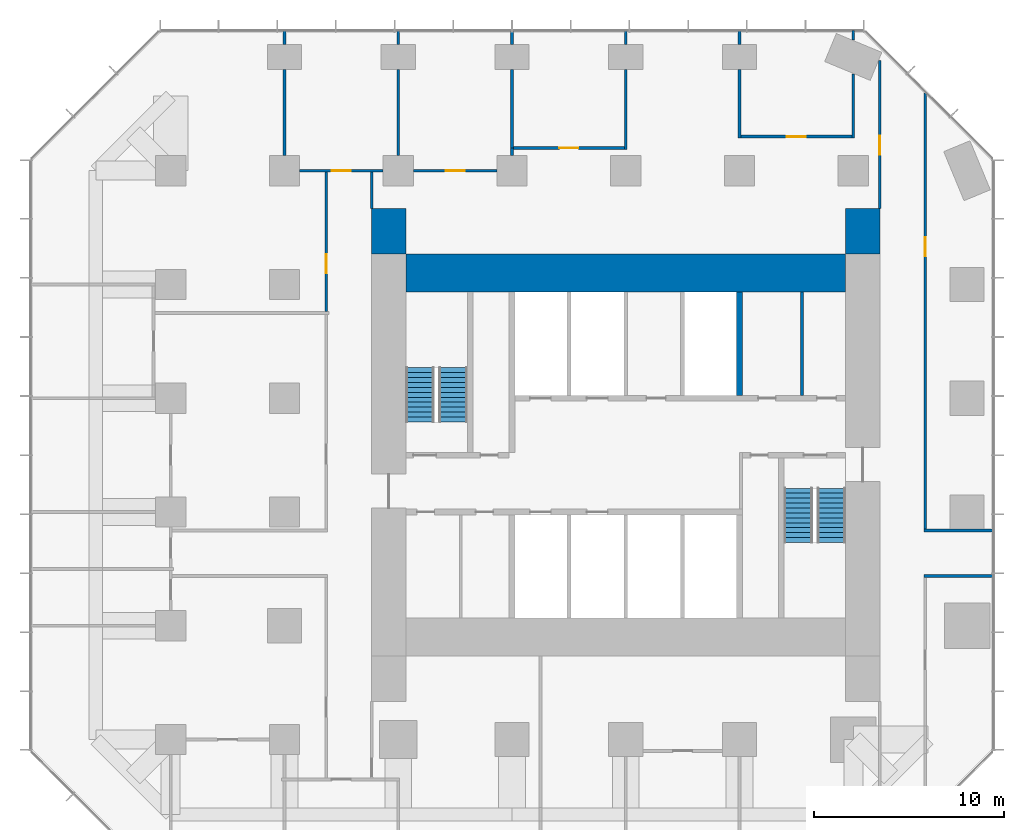
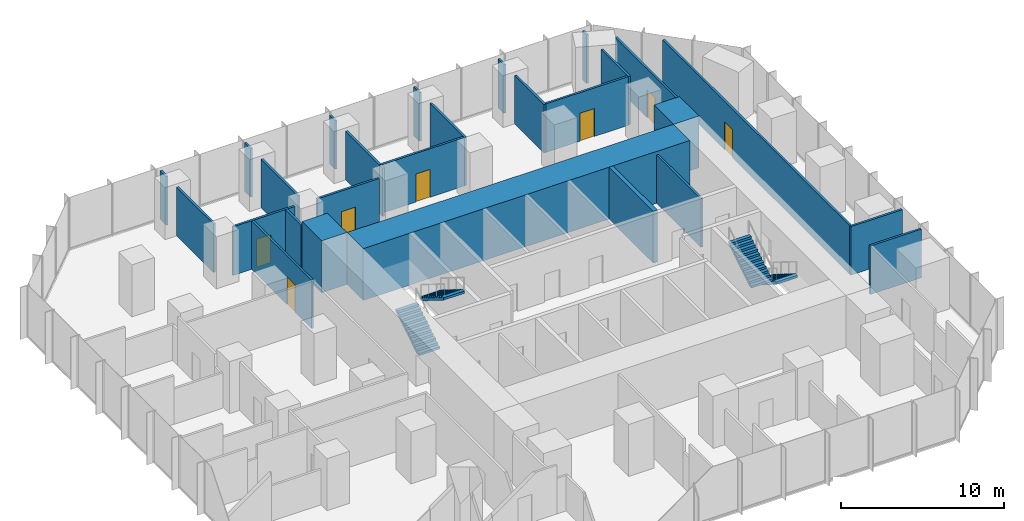
# One storey, part 10 of 11: 28 walls, 7 doors, 4 stair flights, 7 openings, 2 elements without a shape of their own.
"""IFC4 building model written with IfcOpenShell, lengths in metres."""

from ifc_helpers import new_model, si_unit, direction, frame, frame_2d, origin, place, context, subcontext, project, spatial, polyline, rectangle, outline, extrude, material, layer, layer_set, type_object, element, fill, aggregate, save


model = new_model("IFC4")

# Units and contexts
model_context = context("Model", 3, precision=1e-05, world=origin(), true_north=direction((0.0, 1.0)))
body_context = subcontext(model_context, "Body", "Model", "MODEL_VIEW")
ifc_project = project(units=[si_unit("LENGTHUNIT", "METRE"), si_unit("AREAUNIT", "SQUARE_METRE"), si_unit("VOLUMEUNIT", "CUBIC_METRE"), si_unit("PLANEANGLEUNIT", "RADIAN"), si_unit("MASSUNIT", "GRAM", prefix="KILO")], contexts=[model_context])

# Site, building, storey
site_placement = place(None, origin())
site = spatial("IfcSite", under=ifc_project, at=site_placement, CompositionType="ELEMENT")
building_placement = place(site_placement, origin())
building = spatial("IfcBuilding", under=site, at=building_placement, Name="Highveld Stack Headquarters", CompositionType="ELEMENT")
storey_placement = place(building_placement, frame((0.0, 0.0, 121.10009765625)))
storey = spatial("IfcBuildingStorey", under=building, at=storey_placement, Name="L29", CompositionType="ELEMENT", Elevation=121.10009765625)

# Walls
ifc_material_1 = material(Name="Concrete C60/75", Category="concrete")
ifc_layer_1 = layer(ifc_material_1, 2.0)
ifc_layer_set_1 = layer_set([ifc_layer_1], Name="Concrete C60/75")
wall_type_1 = type_object("IfcWallType", Name="CORE WALL 2000 C60/75", PredefinedType="SHEAR", material=ifc_layer_set_1)
wall_1_placement = place(storey_placement, frame((-5.60009765625, 12.60009765625, 0.0), z_axis=(0.0, 0.0, 1.0), x_axis=(1.0, 0.0, 0.0)))
element("IfcWall", 1, at=wall_1_placement, inside=storey, type_object=wall_type_1, Name="Core wall N L29", PredefinedType="SHEAR", context=body_context, shape_type="SweptSolid", body=[
    extrude(rectangle(XDim=23.2001953125, YDim=2.0, at=frame_2d((11.60009765625, 0.0))), origin(), (0.0, 0.0, 1.0), 3.89990234375),
])
ifc_material_2 = material(Name="Concrete C60/75", Category="concrete")
ifc_layer_2 = layer(ifc_material_2, 0.300048828125)
ifc_layer_set_2 = layer_set([ifc_layer_2], Name="Concrete C60/75")
wall_type_2 = type_object("IfcWallType", Name="CORE WALL 300 C60/75", PredefinedType="SHEAR", material=ifc_layer_set_2)
wall_2_placement = place(storey_placement, frame((12.0, 6.14990234375, 0.0), z_axis=(0.0, 0.0, 1.0), x_axis=(0.0, 1.0, 0.0)))
element("IfcWall", 2, at=wall_2_placement, inside=storey, type_object=wall_type_2, Name="Core wall I-X12N L29", PredefinedType="SHEAR", context=body_context, shape_type="SweptSolid", body=[
    extrude(rectangle(XDim=5.4501953125, YDim=0.300048828125, at=frame_2d((2.72509765625, 0.0))), origin(), (0.0, 0.0, 1.0), 3.89990234375),
])
ifc_material_3 = material(Name="Concrete C60/75", Category="concrete")
ifc_layer_3 = layer(ifc_material_3, 1.800048828125)
ifc_layer_set_3 = layer_set([ifc_layer_3], Name="Concrete C60/75")
wall_type_3 = type_object("IfcWallType", Name="CORE WING WALL 1800 C60/75", PredefinedType="SHEAR", material=ifc_layer_set_3)
for number, where, z_axis, x_axis, name in (
    (3, (-6.5, 13.60009765625, 0.0), (0.0, 0.0, 1.0), (0.0, 1.0, 0.0), "Core wing wall WN L29"),
    (4, (18.5, 13.60009765625, 0.0), (0.0, 0.0, 1.0), (0.0, 1.0, 0.0), "Core wing wall EN L29"),
):
    element("IfcWall", number, at=place(storey_placement, frame(where, z_axis=z_axis, x_axis=x_axis)), inside=storey, type_object=wall_type_3, Name=name, PredefinedType="SHEAR", context=body_context, shape_type="SweptSolid", body=[
        extrude(rectangle(XDim=2.39990234375, YDim=1.800048828125, at=frame_2d((1.199951171875, 0.0))), origin(), (0.0, 0.0, 1.0), 3.89990234375),
    ])

# Wall, opening, door
ifc_material_4 = material(Name="Gypsum plasterboard on steel studs", Category="steel")
ifc_layer_4 = layer(ifc_material_4, 0.14990234375)
ifc_layer_set_4 = layer_set([ifc_layer_4], Name="Gypsum plasterboard on steel studs")
wall_type_4 = type_object("IfcWallType", Name="PARTITION 150 PLASTERBOARD", PredefinedType="PARTITIONING", material=ifc_layer_set_4)
wall_3_placement = place(storey_placement, frame((-11.199951171875, 18.0, 0.0), z_axis=(0.0, 0.0, 1.0), x_axis=(1.0, 0.0, 0.0)))
wall_3 = element("IfcWall", 5, at=wall_3_placement, inside=storey, type_object=wall_type_4, Name="Partition Office L29", PredefinedType="PARTITIONING", context=body_context, shape_type="SweptSolid", body=[
    extrude(rectangle(XDim=4.39990234375, YDim=0.14990234375, at=frame_2d((2.199951171875, 0.0))), origin(), (0.0, 0.0, 1.0), 3.64990234375),
])
opening_1_placement = place(wall_3_placement, frame((1.699951171875, 0.0, 0.0)))
opening_1 = element("IfcOpeningElement", 6, at=opening_1_placement, cuts=wall_3, Name="Opening L29-19", PredefinedType="OPENING", context=body_context, shape_type="SweptSolid", body=[
    extrude(rectangle(XDim=1.0, YDim=2.10009765625, at=frame_2d((0.5, 1.050048828125))), frame((0.0, 0.0849609375, 0.0), z_axis=(0.0, -1.0, 0.0), x_axis=(1.0, 0.0, 0.0)), (0.0, 0.0, 1.0), 0.169921875),
])
ifc_material_5 = material(Name="Timber door, oiled ash", Category="wood")
door_type = type_object("IfcDoorType", Name="ROOM DOOR D6 1000x2100", OperationType="SINGLE_SWING_LEFT", PredefinedType="DOOR", material=ifc_material_5)
door_1_placement = place(opening_1_placement, origin())
door_1 = element("IfcDoor", 7, at=door_1_placement, inside=storey, type_object=door_type, Name="Office door 1 L29", OperationType="SINGLE_SWING_RIGHT", OverallHeight=2.10009765625, OverallWidth=1.0, PredefinedType="DOOR", context=body_context, shape_type="SweptSolid", body=[
    extrude(rectangle(XDim=1.0, YDim=2.10009765625, at=frame_2d((0.5, 1.050048828125))), frame((0.0, 0.02490234375, 0.0), z_axis=(0.0, -1.0, 0.0), x_axis=(1.0, 0.0, 0.0)), (0.0, 0.0, 1.0), 0.050048828125),
])
fill(opening_1, door_1)

wall_4_placement = place(storey_placement, frame((-5.199951171875, 18.0, 0.0), z_axis=(0.0, 0.0, 1.0), x_axis=(1.0, 0.0, 0.0)))
wall_4 = element("IfcWall", 8, at=wall_4_placement, inside=storey, type_object=wall_type_4, Name="Partition Office L29", PredefinedType="PARTITIONING", context=body_context, shape_type="SweptSolid", body=[
    extrude(rectangle(XDim=4.39990234375, YDim=0.14990234375, at=frame_2d((2.199951171875, 0.0))), origin(), (0.0, 0.0, 1.0), 3.64990234375),
])
opening_2_placement = place(wall_4_placement, frame((1.699951171875, 0.0, 0.0)))
opening_2 = element("IfcOpeningElement", 9, at=opening_2_placement, cuts=wall_4, Name="Opening L29-20", PredefinedType="OPENING", context=body_context, shape_type="SweptSolid", body=[
    extrude(rectangle(XDim=1.0, YDim=2.10009765625, at=frame_2d((0.5, 1.050048828125))), frame((0.0, 0.0849609375, 0.0), z_axis=(0.0, -1.0, 0.0), x_axis=(1.0, 0.0, 0.0)), (0.0, 0.0, 1.0), 0.169921875),
])
door_2_placement = place(opening_2_placement, origin())
door_2 = element("IfcDoor", 10, at=door_2_placement, inside=storey, type_object=door_type, Name="Office door 1 L29", OperationType="SINGLE_SWING_LEFT", OverallHeight=2.10009765625, OverallWidth=1.0, PredefinedType="DOOR", context=body_context, shape_type="SweptSolid", body=[
    extrude(rectangle(XDim=1.0, YDim=2.10009765625, at=frame_2d((0.5, 1.050048828125))), frame((0.0, 0.02490234375, 0.0), z_axis=(0.0, -1.0, 0.0), x_axis=(1.0, 0.0, 0.0)), (0.0, 0.0, 1.0), 0.050048828125),
])
fill(opening_2, door_2)

wall_5_placement = place(storey_placement, frame((0.074951171875, 19.199951171875, 0.0), z_axis=(0.0, 0.0, 1.0), x_axis=(1.0, 0.0, 0.0)))
wall_5 = element("IfcWall", 11, at=wall_5_placement, inside=storey, type_object=wall_type_4, Name="Partition Tea kitchen L29", PredefinedType="PARTITIONING", context=body_context, shape_type="SweptSolid", body=[
    extrude(rectangle(XDim=5.85009765625, YDim=0.14990234375, at=frame_2d((2.925048828125, 0.0))), origin(), (0.0, 0.0, 1.0), 3.64990234375),
])
opening_3_placement = place(wall_5_placement, frame((2.425048828125, 0.0, 0.0)))
opening_3 = element("IfcOpeningElement", 12, at=opening_3_placement, cuts=wall_5, Name="Opening L29-21", PredefinedType="OPENING", context=body_context, shape_type="SweptSolid", body=[
    extrude(rectangle(XDim=1.0, YDim=2.10009765625, at=frame_2d((0.5, 1.050048828125))), frame((0.0, 0.0849609375, 0.0), z_axis=(0.0, -1.0, 0.0), x_axis=(1.0, 0.0, 0.0)), (0.0, 0.0, 1.0), 0.169921875),
])
door_3_placement = place(opening_3_placement, origin())
door_3 = element("IfcDoor", 13, at=door_3_placement, inside=storey, type_object=door_type, Name="Tea kitchen door 1 L29", OperationType="SINGLE_SWING_LEFT", OverallHeight=2.10009765625, OverallWidth=1.0, PredefinedType="DOOR", context=body_context, shape_type="SweptSolid", body=[
    extrude(rectangle(XDim=1.0, YDim=2.10009765625, at=frame_2d((0.5, 1.050048828125))), frame((0.0, 0.02490234375, 0.0), z_axis=(0.0, -1.0, 0.0), x_axis=(1.0, 0.0, 0.0)), (0.0, 0.0, 1.0), 0.050048828125),
])
fill(opening_3, door_3)

wall_6_placement = place(storey_placement, frame((12.074951171875, 19.800048828125, 0.0), z_axis=(0.0, 0.0, 1.0), x_axis=(1.0, 0.0, 0.0)))
wall_6 = element("IfcWall", 14, at=wall_6_placement, inside=storey, type_object=wall_type_4, Name="Partition Print room L29", PredefinedType="PARTITIONING", context=body_context, shape_type="SweptSolid", body=[
    extrude(rectangle(XDim=5.85009765625, YDim=0.14990234375, at=frame_2d((2.925048828125, 0.0))), origin(), (0.0, 0.0, 1.0), 3.64990234375),
])
opening_4_placement = place(wall_6_placement, frame((2.425048828125, 0.0, 0.0)))
opening_4 = element("IfcOpeningElement", 15, at=opening_4_placement, cuts=wall_6, Name="Opening L29-22", PredefinedType="OPENING", context=body_context, shape_type="SweptSolid", body=[
    extrude(rectangle(XDim=1.0, YDim=2.10009765625, at=frame_2d((0.5, 1.050048828125))), frame((0.0, 0.0849609375, 0.0), z_axis=(0.0, -1.0, 0.0), x_axis=(1.0, 0.0, 0.0)), (0.0, 0.0, 1.0), 0.169921875),
])
door_4_placement = place(opening_4_placement, origin())
door_4 = element("IfcDoor", 16, at=door_4_placement, inside=storey, type_object=door_type, Name="Print room door 1 L29", OperationType="SINGLE_SWING_LEFT", OverallHeight=2.10009765625, OverallWidth=1.0, PredefinedType="DOOR", context=body_context, shape_type="SweptSolid", body=[
    extrude(rectangle(XDim=1.0, YDim=2.10009765625, at=frame_2d((0.5, 1.050048828125))), frame((0.0, 0.02490234375, 0.0), z_axis=(0.0, -1.0, 0.0), x_axis=(1.0, 0.0, 0.0)), (0.0, 0.0, 1.0), 0.050048828125),
])
fill(opening_4, door_4)

# Walls
wall_7_placement = place(storey_placement, frame((-12.0, 18.800048828125, 0.0), z_axis=(0.0, 0.0, 1.0), x_axis=(0.0, 1.0, 0.0)))
element("IfcWall", 17, at=wall_7_placement, inside=storey, type_object=wall_type_4, Name="Partition Office L29", PredefinedType="PARTITIONING", context=body_context, shape_type="SweptSolid", body=[
    extrude(rectangle(XDim=4.550048828125, YDim=0.14990234375, at=frame_2d((2.27490234375, 0.0))), origin(), (0.0, 0.0, 1.0), 3.64990234375),
])
wall_8_placement = place(storey_placement, frame((-12.0, 24.64990234375, 0.0), z_axis=(0.0, 0.0, 1.0), x_axis=(0.0, 1.0, 0.0)))
element("IfcWall", 18, at=wall_8_placement, inside=storey, type_object=wall_type_4, Name="Partition Office L29", PredefinedType="PARTITIONING", context=body_context, shape_type="SweptSolid", body=[
    extrude(rectangle(XDim=0.75, YDim=0.14990234375, at=frame_2d((0.375, 0.0))), origin(), (0.0, 0.0, 1.0), 3.64990234375),
])
wall_9_placement = place(storey_placement, frame((-6.0, 18.800048828125, 0.0), z_axis=(0.0, 0.0, 1.0), x_axis=(0.0, 1.0, 0.0)))
element("IfcWall", 19, at=wall_9_placement, inside=storey, type_object=wall_type_4, Name="Partition Office L29", PredefinedType="PARTITIONING", context=body_context, shape_type="SweptSolid", body=[
    extrude(rectangle(XDim=4.550048828125, YDim=0.14990234375, at=frame_2d((2.27490234375, 0.0))), origin(), (0.0, 0.0, 1.0), 3.64990234375),
])
wall_10_placement = place(storey_placement, frame((-6.0, 24.64990234375, 0.0), z_axis=(0.0, 0.0, 1.0), x_axis=(0.0, 1.0, 0.0)))
element("IfcWall", 20, at=wall_10_placement, inside=storey, type_object=wall_type_4, Name="Partition Office L29", PredefinedType="PARTITIONING", context=body_context, shape_type="SweptSolid", body=[
    extrude(rectangle(XDim=0.75, YDim=0.14990234375, at=frame_2d((0.375, 0.0))), origin(), (0.0, 0.0, 1.0), 3.64990234375),
])
wall_11_placement = place(storey_placement, frame((0.0, 18.800048828125, 0.0), z_axis=(0.0, 0.0, 1.0), x_axis=(0.0, 1.0, 0.0)))
element("IfcWall", 21, at=wall_11_placement, inside=storey, type_object=wall_type_4, Name="Partition Office L29", PredefinedType="PARTITIONING", context=body_context, shape_type="SweptSolid", body=[
    extrude(rectangle(XDim=0.39990234375, YDim=0.14990234375, at=frame_2d((0.199951171875, 0.0))), origin(), (0.0, 0.0, 1.0), 3.64990234375),
])
wall_12_placement = place(storey_placement, frame((0.0, 19.199951171875, 0.0), z_axis=(0.0, 0.0, 1.0), x_axis=(0.0, 1.0, 0.0)))
element("IfcWall", 22, at=wall_12_placement, inside=storey, type_object=wall_type_4, Name="Partition Office / Tea kitchen L29", PredefinedType="PARTITIONING", context=body_context, shape_type="SweptSolid", body=[
    extrude(rectangle(XDim=4.150146484375, YDim=0.14990234375, at=frame_2d((2.0751953125, 0.0))), origin(), (0.0, 0.0, 1.0), 3.64990234375),
])
wall_13_placement = place(storey_placement, frame((0.0, 24.64990234375, 0.0), z_axis=(0.0, 0.0, 1.0), x_axis=(0.0, 1.0, 0.0)))
element("IfcWall", 23, at=wall_13_placement, inside=storey, type_object=wall_type_4, Name="Partition Office / Tea kitchen L29", PredefinedType="PARTITIONING", context=body_context, shape_type="SweptSolid", body=[
    extrude(rectangle(XDim=0.7001953125, YDim=0.14990234375, at=frame_2d((0.35009765625, 0.0))), origin(), (0.0, 0.0, 1.0), 3.64990234375),
])
wall_14_placement = place(storey_placement, frame((6.0, 19.125, 0.0), z_axis=(0.0, 0.0, 1.0), x_axis=(0.0, 1.0, 0.0)))
element("IfcWall", 24, at=wall_14_placement, inside=storey, type_object=wall_type_4, Name="Partition Tea kitchen L29", PredefinedType="PARTITIONING", context=body_context, shape_type="SweptSolid", body=[
    extrude(rectangle(XDim=4.22509765625, YDim=0.14990234375, at=frame_2d((2.112548828125, 0.0))), origin(), (0.0, 0.0, 1.0), 3.64990234375),
])
wall_15_placement = place(storey_placement, frame((6.0, 24.64990234375, 0.0), z_axis=(0.0, 0.0, 1.0), x_axis=(0.0, 1.0, 0.0)))
element("IfcWall", 25, at=wall_15_placement, inside=storey, type_object=wall_type_4, Name="Partition Tea kitchen L29", PredefinedType="PARTITIONING", context=body_context, shape_type="SweptSolid", body=[
    extrude(rectangle(XDim=0.75, YDim=0.14990234375, at=frame_2d((0.375, 0.0))), origin(), (0.0, 0.0, 1.0), 3.64990234375),
])
wall_16_placement = place(storey_placement, frame((12.0, 19.72509765625, 0.0), z_axis=(0.0, 0.0, 1.0), x_axis=(0.0, 1.0, 0.0)))
element("IfcWall", 26, at=wall_16_placement, inside=storey, type_object=wall_type_4, Name="Partition Print room L29", PredefinedType="PARTITIONING", context=body_context, shape_type="SweptSolid", body=[
    extrude(rectangle(XDim=3.625, YDim=0.14990234375, at=frame_2d((1.8125, 0.0))), origin(), (0.0, 0.0, 1.0), 3.64990234375),
])
wall_17_placement = place(storey_placement, frame((12.0, 24.64990234375, 0.0), z_axis=(0.0, 0.0, 1.0), x_axis=(0.0, 1.0, 0.0)))
element("IfcWall", 27, at=wall_17_placement, inside=storey, type_object=wall_type_4, Name="Partition Print room L29", PredefinedType="PARTITIONING", context=body_context, shape_type="SweptSolid", body=[
    extrude(rectangle(XDim=0.75, YDim=0.14990234375, at=frame_2d((0.375, 0.0))), origin(), (0.0, 0.0, 1.0), 3.64990234375),
])
wall_18_placement = place(storey_placement, frame((18.0, 19.72509765625, 0.0), z_axis=(0.0, 0.0, 1.0), x_axis=(0.0, 1.0, 0.0)))
element("IfcWall", 28, at=wall_18_placement, inside=storey, type_object=wall_type_4, Name="Partition Print room L29", PredefinedType="PARTITIONING", context=body_context, shape_type="SweptSolid", body=[
    extrude(rectangle(XDim=3.3779296875, YDim=0.14990234375, at=frame_2d((1.68896484375, 0.0))), origin(), (0.0, 0.0, 1.0), 3.64990234375),
])
wall_19_placement = place(storey_placement, frame((18.0, 24.89697265625, 0.0), z_axis=(0.0, 0.0, 1.0), x_axis=(0.0, 1.0, 0.0)))
element("IfcWall", 29, at=wall_19_placement, inside=storey, type_object=wall_type_4, Name="Partition Print room L29", PredefinedType="PARTITIONING", context=body_context, shape_type="SweptSolid", body=[
    extrude(rectangle(XDim=0.5029296875, YDim=0.14990234375, at=frame_2d((0.25146484375, 0.0))), origin(), (0.0, 0.0, 1.0), 3.64990234375),
])

# Wall, opening, door
wall_20_placement = place(storey_placement, frame((-9.800048828125, 10.574951171875, 0.0), z_axis=(0.0, 0.0, 1.0), x_axis=(0.0, 1.0, 0.0)))
wall_20 = element("IfcWall", 30, at=wall_20_placement, inside=storey, type_object=wall_type_4, Name="Partition office neighbourhood L29", PredefinedType="PARTITIONING", context=body_context, shape_type="SweptSolid", body=[
    extrude(rectangle(XDim=7.35009765625, YDim=0.14990234375, at=frame_2d((3.675048828125, 0.0))), origin(), (0.0, 0.0, 1.0), 3.64990234375),
])
opening_5_placement = place(wall_20_placement, frame((2.02392578125, 0.0, 0.0)))
opening_5 = element("IfcOpeningElement", 31, at=opening_5_placement, cuts=wall_20, Name="Opening L29-28", PredefinedType="OPENING", context=body_context, shape_type="SweptSolid", body=[
    extrude(rectangle(XDim=1.0, YDim=2.10009765625, at=frame_2d((0.5, 1.050048828125))), frame((0.0, 0.0849609375, 0.0), z_axis=(0.0, -1.0, 0.0), x_axis=(1.0, 0.0, 0.0)), (0.0, 0.0, 1.0), 0.169921875),
])
door_5_placement = place(opening_5_placement, origin())
door_5 = element("IfcDoor", 32, at=door_5_placement, inside=storey, type_object=door_type, Name="Office neighbourhood door L29", OperationType="SINGLE_SWING_LEFT", OverallHeight=2.10009765625, OverallWidth=1.0, PredefinedType="DOOR", context=body_context, shape_type="SweptSolid", body=[
    extrude(rectangle(XDim=1.0, YDim=2.10009765625, at=frame_2d((0.5, 1.050048828125))), frame((0.0, 0.02490234375, 0.0), z_axis=(0.0, -1.0, 0.0), x_axis=(1.0, 0.0, 0.0)), (0.0, 0.0, 1.0), 0.050048828125),
])
fill(opening_5, door_5)

# Wall
wall_21_placement = place(storey_placement, frame((-7.39990234375, 16.0, 0.0), z_axis=(0.0, 0.0, 1.0), x_axis=(0.0, 1.0, 0.0)))
element("IfcWall", 33, at=wall_21_placement, inside=storey, type_object=wall_type_4, Name="Partition office neighbourhood L29", PredefinedType="PARTITIONING", context=body_context, shape_type="SweptSolid", body=[
    extrude(rectangle(XDim=1.925048828125, YDim=0.14990234375, at=frame_2d((0.96240234375, 0.0))), origin(), (0.0, 0.0, 1.0), 3.64990234375),
])

# Wall, opening, door
wall_22_placement = place(storey_placement, frame((19.39990234375, 16.0, 0.0), z_axis=(0.0, 0.0, 1.0), x_axis=(0.0, 1.0, 0.0)))
wall_22 = element("IfcWall", 34, at=wall_22_placement, inside=storey, type_object=wall_type_4, Name="Partition office neighbourhood L29", PredefinedType="PARTITIONING", context=body_context, shape_type="SweptSolid", body=[
    extrude(rectangle(XDim=7.8017578125, YDim=0.14990234375, at=frame_2d((3.90087890625, 0.0))), origin(), (0.0, 0.0, 1.0), 3.64990234375),
])
opening_6_placement = place(wall_22_placement, frame((2.85009765625, 0.0, 0.0)))
opening_6 = element("IfcOpeningElement", 35, at=opening_6_placement, cuts=wall_22, Name="Opening L29-29", PredefinedType="OPENING", context=body_context, shape_type="SweptSolid", body=[
    extrude(rectangle(XDim=1.0, YDim=2.10009765625, at=frame_2d((0.5, 1.050048828125))), frame((0.0, 0.0849609375, 0.0), z_axis=(0.0, -1.0, 0.0), x_axis=(1.0, 0.0, 0.0)), (0.0, 0.0, 1.0), 0.169921875),
])
door_6_placement = place(opening_6_placement, origin())
door_6 = element("IfcDoor", 36, at=door_6_placement, inside=storey, type_object=door_type, Name="Office neighbourhood door L29", OperationType="SINGLE_SWING_LEFT", OverallHeight=2.10009765625, OverallWidth=1.0, PredefinedType="DOOR", context=body_context, shape_type="SweptSolid", body=[
    extrude(rectangle(XDim=1.0, YDim=2.10009765625, at=frame_2d((0.5, 1.050048828125))), frame((0.0, 0.02490234375, 0.0), z_axis=(0.0, -1.0, 0.0), x_axis=(1.0, 0.0, 0.0)), (0.0, 0.0, 1.0), 0.050048828125),
])
fill(opening_6, door_6)

# Wall
wall_23_placement = place(storey_placement, frame((21.72509765625, -3.375, 0.0), z_axis=(0.0, 0.0, 1.0), x_axis=(1.0, 0.0, 0.0)))
element("IfcWall", 37, at=wall_23_placement, inside=storey, type_object=wall_type_4, Name="Partition office neighbourhood L29", PredefinedType="PARTITIONING", context=body_context, shape_type="SweptSolid", body=[
    extrude(rectangle(XDim=3.625, YDim=0.14990234375, at=frame_2d((1.8125, 0.0))), origin(), (0.0, 0.0, 1.0), 3.64990234375),
])

# Wall, opening, door
wall_24_placement = place(storey_placement, frame((21.800048828125, -0.89990234375, 0.0), z_axis=(0.0, 0.0, 1.0), x_axis=(0.0, 1.0, 0.0)))
wall_24 = element("IfcWall", 38, at=wall_24_placement, inside=storey, type_object=wall_type_4, Name="Partition office neighbourhood L29", PredefinedType="PARTITIONING", context=body_context, shape_type="SweptSolid", body=[
    extrude(rectangle(XDim=22.989013671875, YDim=0.14990234375, at=frame_2d((11.49462890625, 0.0))), origin(), (0.0, 0.0, 1.0), 3.64990234375),
])
opening_7_placement = place(wall_24_placement, frame((14.384033203125, 0.0, 0.0)))
opening_7 = element("IfcOpeningElement", 39, at=opening_7_placement, cuts=wall_24, Name="Opening L29-27", PredefinedType="OPENING", context=body_context, shape_type="SweptSolid", body=[
    extrude(rectangle(XDim=1.0, YDim=2.10009765625, at=frame_2d((0.5, 1.050048828125))), frame((0.0, 0.0849609375, 0.0), z_axis=(0.0, -1.0, 0.0), x_axis=(1.0, 0.0, 0.0)), (0.0, 0.0, 1.0), 0.169921875),
])
door_7_placement = place(opening_7_placement, origin())
door_7 = element("IfcDoor", 40, at=door_7_placement, inside=storey, type_object=door_type, Name="Office neighbourhood door L29", OperationType="SINGLE_SWING_RIGHT", OverallHeight=2.10009765625, OverallWidth=1.0, PredefinedType="DOOR", context=body_context, shape_type="SweptSolid", body=[
    extrude(rectangle(XDim=1.0, YDim=2.10009765625, at=frame_2d((0.5, 1.050048828125))), frame((0.0, 0.02490234375, 0.0), z_axis=(0.0, -1.0, 0.0), x_axis=(1.0, 0.0, 0.0)), (0.0, 0.0, 1.0), 0.050048828125),
])
fill(opening_7, door_7)

# Walls
wall_25_placement = place(storey_placement, frame((21.72509765625, -0.97509765625, 0.0), z_axis=(0.0, 0.0, 1.0), x_axis=(1.0, 0.0, 0.0)))
element("IfcWall", 41, at=wall_25_placement, inside=storey, type_object=wall_type_4, Name="Partition office neighbourhood L29", PredefinedType="PARTITIONING", context=body_context, shape_type="SweptSolid", body=[
    extrude(rectangle(XDim=3.6748046875, YDim=0.14990234375, at=frame_2d((1.83740234375, 0.0))), origin(), (0.0, 0.0, 1.0), 3.64990234375),
])
ifc_material_6 = material(Name="Concrete blockwork, tiled", Category="masonry")
ifc_layer_5 = layer(ifc_material_6, 0.14990234375)
ifc_layer_set_5 = layer_set([ifc_layer_5], Name="Concrete blockwork, tiled")
wall_type_5 = type_object("IfcWallType", Name="WC PARTITION 150", PredefinedType="PLUMBINGWALL", material=ifc_layer_set_5)
wall_26_placement = place(storey_placement, frame((15.300048828125, 6.14990234375, 0.0), z_axis=(0.0, 0.0, 1.0), x_axis=(0.0, 1.0, 0.0)))
element("IfcWall", 42, at=wall_26_placement, inside=storey, type_object=wall_type_5, Name="Toilet partition L29", PredefinedType="PLUMBINGWALL", context=body_context, shape_type="SweptSolid", body=[
    extrude(rectangle(XDim=5.4501953125, YDim=0.14990234375, at=frame_2d((2.72509765625, 0.0))), origin(), (0.0, 0.0, 1.0), 3.64990234375),
])

# Stair, stair flights
ifc_material_7 = material(Name="Concrete C40/50, precast", Category="concrete")
stair_type_1 = type_object("IfcStairType", Name="STAIR S1 HALF TURN 1500", PredefinedType="HALF_TURN_STAIR", material=ifc_material_7)
stair_1_placement = place(storey_placement, origin())
stair_1 = element("IfcStair", 43, at=stair_1_placement, inside=storey, type_object=stair_type_1, Name="Stair S1 L29", PredefinedType="HALF_TURN_STAIR")
ifc_material_8 = material(Name="Concrete C40/50, precast", Category="concrete")
stair_flight_type = type_object("IfcStairFlightType", Name="STAIR FLIGHT 1500 PRECAST", PredefinedType="STRAIGHT", material=ifc_material_8)
stair_flight_1_placement = place(storey_placement, frame((-4.85009765625, 4.75, 0.0), z_axis=(0.0, 0.0, 1.0), x_axis=(0.0, 1.0, 0.0)))
stair_flight_1 = element("IfcStairFlight", 44, at=stair_flight_1_placement, type_object=stair_flight_type, Name="S1 flight 1", NumberOfRisers=12, NumberOfTreads=11, PredefinedType="STRAIGHT", RiserHeight=0.1625, TreadLength=0.26, context=body_context, shape_type="SweptSolid", body=[
    extrude(outline(polyline([(0.0, 0.0), (0.0, 0.16259765625), (0.260009765625, 0.16259765625), (0.260009765625, 0.324951171875), (0.52001953125, 0.324951171875), (0.52001953125, 0.487548828125), (0.780029296875, 0.487548828125), (0.780029296875, 0.64990234375), (1.0400390625, 0.64990234375), (1.0400390625, 0.8125), (1.300048828125, 0.8125), (1.300048828125, 0.97509765625), (1.56005859375, 0.97509765625), (1.56005859375, 1.137451171875), (1.820068359375, 1.137451171875), (1.820068359375, 1.300048828125), (2.080078125, 1.300048828125), (2.080078125, 1.46240234375), (2.340087890625, 1.46240234375), (2.340087890625, 1.625), (2.60009765625, 1.625), (2.60009765625, 1.78759765625), (2.860107421875, 1.78759765625), (2.860107421875, 1.949951171875), (2.860107421875, 1.61083984375), (0.28271484375, 0.0), (0.0, 0.0)])), frame((0.0, 0.75, 0.0), z_axis=(0.0, -1.0, 0.0), x_axis=(1.0, 0.0, 0.0)), (0.0, 0.0, 1.0), 1.5),
])
stair_flight_2_placement = place(storey_placement, frame((-3.10009765625, 7.610107421875, 1.949951171875), z_axis=(0.0, 0.0, 1.0), x_axis=(0.0, -1.0, 0.0)))
stair_flight_2 = element("IfcStairFlight", 45, at=stair_flight_2_placement, type_object=stair_flight_type, Name="S1 flight 2", NumberOfRisers=12, NumberOfTreads=11, PredefinedType="STRAIGHT", RiserHeight=0.1625, TreadLength=0.26, context=body_context, shape_type="SweptSolid", body=[
    extrude(outline(polyline([(0.0, 0.0), (0.0, 0.16259765625), (0.260009765625, 0.16259765625), (0.260009765625, 0.324951171875), (0.52001953125, 0.324951171875), (0.52001953125, 0.487548828125), (0.780029296875, 0.487548828125), (0.780029296875, 0.64990234375), (1.0400390625, 0.64990234375), (1.0400390625, 0.8125), (1.300048828125, 0.8125), (1.300048828125, 0.97509765625), (1.56005859375, 0.97509765625), (1.56005859375, 1.137451171875), (1.820068359375, 1.137451171875), (1.820068359375, 1.300048828125), (2.080078125, 1.300048828125), (2.080078125, 1.46240234375), (2.340087890625, 1.46240234375), (2.340087890625, 1.625), (2.60009765625, 1.625), (2.60009765625, 1.78759765625), (2.860107421875, 1.78759765625), (2.860107421875, 1.949951171875), (2.860107421875, 1.61083984375), (0.28271484375, 0.0), (0.0, 0.0)])), frame((0.0, 0.75, 0.0), z_axis=(0.0, -1.0, 0.0), x_axis=(1.0, 0.0, 0.0)), (0.0, 0.0, 1.0), 1.5),
])
aggregate(stair_1, [stair_flight_1, stair_flight_2])

ifc_material_9 = material(Name="Concrete C40/50, precast", Category="concrete")
stair_type_2 = type_object("IfcStairType", Name="STAIR S2 HALF TURN 1500", PredefinedType="HALF_TURN_STAIR", material=ifc_material_9)
stair_2_placement = place(storey_placement, origin())
stair_2 = element("IfcStair", 46, at=stair_2_placement, inside=storey, type_object=stair_type_2, Name="Stair S2 L29", PredefinedType="HALF_TURN_STAIR")
stair_flight_3_placement = place(storey_placement, frame((16.85009765625, 1.25, 0.0), z_axis=(0.0, 0.0, 1.0), x_axis=(0.0, -1.0, 0.0)))
stair_flight_3 = element("IfcStairFlight", 47, at=stair_flight_3_placement, type_object=stair_flight_type, Name="S2 flight 1", NumberOfRisers=12, NumberOfTreads=11, PredefinedType="STRAIGHT", RiserHeight=0.1625, TreadLength=0.26, context=body_context, shape_type="SweptSolid", body=[
    extrude(outline(polyline([(0.0, 0.0), (0.0, 0.16259765625), (0.260009765625, 0.16259765625), (0.260009765625, 0.324951171875), (0.52001953125, 0.324951171875), (0.52001953125, 0.487548828125), (0.780029296875, 0.487548828125), (0.780029296875, 0.64990234375), (1.0400390625, 0.64990234375), (1.0400390625, 0.8125), (1.300048828125, 0.8125), (1.300048828125, 0.97509765625), (1.56005859375, 0.97509765625), (1.56005859375, 1.137451171875), (1.820068359375, 1.137451171875), (1.820068359375, 1.300048828125), (2.080078125, 1.300048828125), (2.080078125, 1.46240234375), (2.340087890625, 1.46240234375), (2.340087890625, 1.625), (2.60009765625, 1.625), (2.60009765625, 1.78759765625), (2.860107421875, 1.78759765625), (2.860107421875, 1.949951171875), (2.860107421875, 1.61083984375), (0.28271484375, 0.0), (0.0, 0.0)])), frame((0.0, 0.75, 0.0), z_axis=(0.0, -1.0, 0.0), x_axis=(1.0, 0.0, 0.0)), (0.0, 0.0, 1.0), 1.5),
])
stair_flight_4_placement = place(storey_placement, frame((15.10009765625, -1.610107421875, 1.949951171875), z_axis=(0.0, 0.0, 1.0), x_axis=(0.0, 1.0, 0.0)))
stair_flight_4 = element("IfcStairFlight", 48, at=stair_flight_4_placement, type_object=stair_flight_type, Name="S2 flight 2", NumberOfRisers=12, NumberOfTreads=11, PredefinedType="STRAIGHT", RiserHeight=0.1625, TreadLength=0.26, context=body_context, shape_type="SweptSolid", body=[
    extrude(outline(polyline([(0.0, 0.0), (0.0, 0.16259765625), (0.260009765625, 0.16259765625), (0.260009765625, 0.324951171875), (0.52001953125, 0.324951171875), (0.52001953125, 0.487548828125), (0.780029296875, 0.487548828125), (0.780029296875, 0.64990234375), (1.0400390625, 0.64990234375), (1.0400390625, 0.8125), (1.300048828125, 0.8125), (1.300048828125, 0.97509765625), (1.56005859375, 0.97509765625), (1.56005859375, 1.137451171875), (1.820068359375, 1.137451171875), (1.820068359375, 1.300048828125), (2.080078125, 1.300048828125), (2.080078125, 1.46240234375), (2.340087890625, 1.46240234375), (2.340087890625, 1.625), (2.60009765625, 1.625), (2.60009765625, 1.78759765625), (2.860107421875, 1.78759765625), (2.860107421875, 1.949951171875), (2.860107421875, 1.61083984375), (0.28271484375, 0.0), (0.0, 0.0)])), frame((0.0, 0.75, 0.0), z_axis=(0.0, -1.0, 0.0), x_axis=(1.0, 0.0, 0.0)), (0.0, 0.0, 1.0), 1.5),
])
aggregate(stair_2, [stair_flight_3, stair_flight_4])

save(model, "model.ifc")
